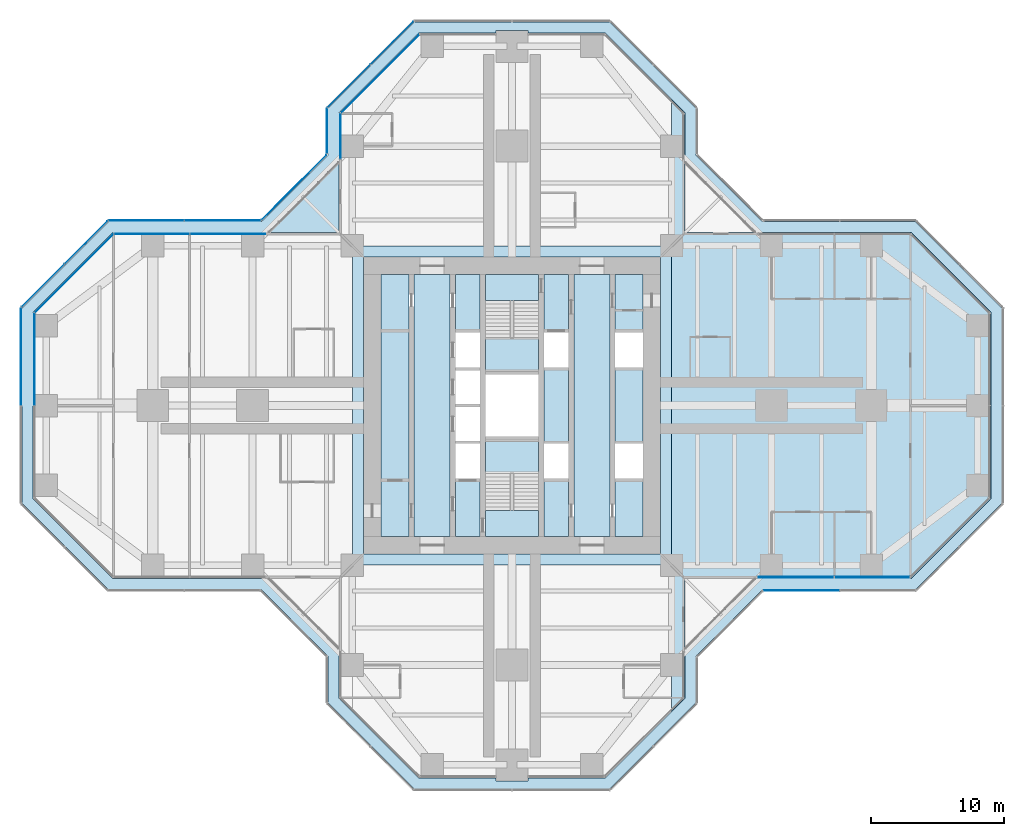
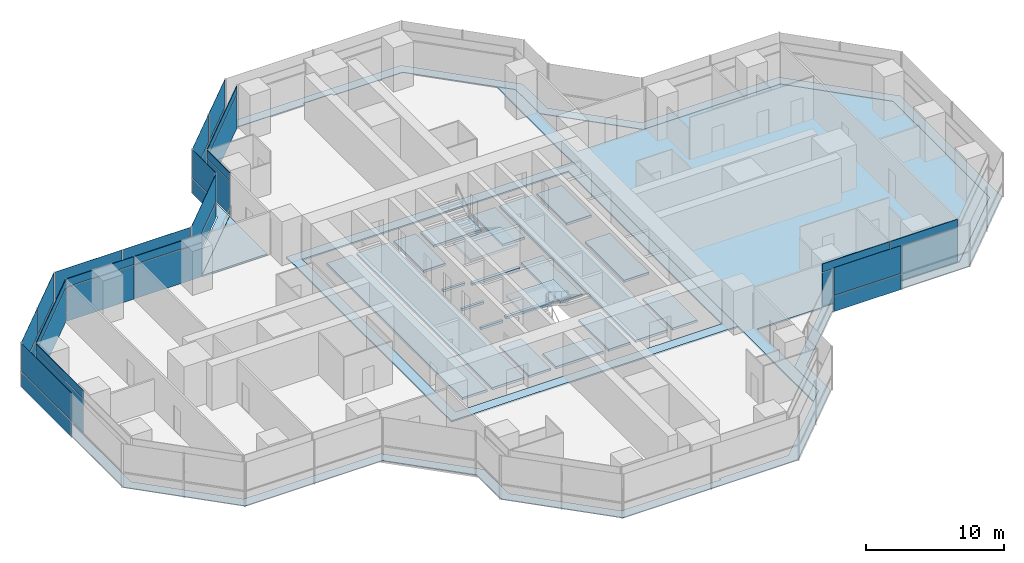
# One storey, part 13 of 20: 37 plates, 8 slabs, 15 elements without a shape of their own.
"""IFC4 building model written with IfcOpenShell, lengths in metres."""

import ifcopenshell
import ifcopenshell.guid

model = None  # the IFC model being written
_history = None  # IfcOwnerHistory: only IFC2X3 demands one
_inside = {}  # id of a spatial element -> (the spatial element, [elements in it])
_under = {}  # id of a project, library or spatial element -> (it, [spatial elements below it])
_declared = {}  # id of a project -> (the project, [libraries it declares])
_typed = {}  # id of a type object -> (the type object, [elements of that type])
_made_of = {}  # id of a material, layer set ... -> (it, [elements and type objects made of it])


def new_model(schema):
    """Start an empty IFC model of exactly this schema.

    Asked for "IFC4X3", IfcOpenShell would pick the latest addendum, in which some entities
    have other attributes; the version numbers below select the first issue.
    IFC2X3 requires an IfcOwnerHistory on every rooted entity: one is made here for all.
    """
    global model, _history
    if schema == "IFC4X3":
        model = ifcopenshell.file(schema_version=(4, 3, 0, 0))
    else:
        model = ifcopenshell.file(schema=schema)
    _inside.clear()
    _under.clear()
    _declared.clear()
    _typed.clear()
    _made_of.clear()
    _history = None
    if model.schema == "IFC2X3":
        org = make("IfcOrganization", Name="unknown")
        user = make(
            "IfcPersonAndOrganization",
            ThePerson=make("IfcPerson", FamilyName="unknown"),
            TheOrganization=org,
        )
        app = make(
            "IfcApplication",
            ApplicationDeveloper=org,
            Version="unknown",
            ApplicationFullName="unknown",
            ApplicationIdentifier="unknown",
        )
        _history = make(
            "IfcOwnerHistory",
            OwningUser=user,
            OwningApplication=app,
            ChangeAction="ADDED",
            CreationDate=0,
        )
    return model


def make(cls, **values):
    """One entity of the class cls with the attributes given. An attribute that is None is left unset."""
    return model.create_entity(
        cls, **{name: value for name, value in values.items() if value is not None}
    )


def rooted(cls, **values):
    """An entity with a GlobalId (a new one), such as an element, a storey or a relation."""
    return make(cls, GlobalId=ifcopenshell.guid.new(), OwnerHistory=_history, **values)


def si_unit(unit_type, name, prefix=None):
    """IfcSIUnit, for example si_unit("LENGTHUNIT", "METRE", prefix="MILLI")."""
    return make("IfcSIUnit", UnitType=unit_type, Prefix=prefix, Name=name)


def assignment(units):
    """IfcUnitAssignment: the units of a project."""
    return None if units is None else make("IfcUnitAssignment", Units=units)


def point(xyz):
    """IfcCartesianPoint."""
    return None if xyz is None else make("IfcCartesianPoint", Coordinates=xyz)


def direction(xyz):
    """IfcDirection."""
    return None if xyz is None else make("IfcDirection", DirectionRatios=xyz)


def frame(location, z_axis=None, x_axis=None):
    """IfcAxis2Placement3D, a coordinate frame: its origin and axes. An axis left out is left unset."""
    return make(
        "IfcAxis2Placement3D",
        Location=point(location),
        Axis=direction(z_axis),
        RefDirection=direction(x_axis),
    )


def frame_2d(location, x_axis=None):
    """IfcAxis2Placement2D, a coordinate frame in the plane: its origin and x axis."""
    return make(
        "IfcAxis2Placement2D", Location=point(location), RefDirection=direction(x_axis)
    )


def origin():
    """The frame at (0, 0, 0) with its axes left unset."""
    return frame((0.0, 0.0, 0.0))


def origin_2d():
    """The frame at (0, 0) in the plane with its x axis left unset."""
    return frame_2d((0.0, 0.0))


def place(relative_to, where):
    """IfcLocalPlacement: puts the frame where relative to a parent placement (None: the world)."""
    return make(
        "IfcLocalPlacement", PlacementRelTo=relative_to, RelativePlacement=where
    )


def context(
    kind, dimensions, precision=None, world=None, true_north=None, identifier=None
):
    """IfcGeometricRepresentationContext, for example the 3D "Model" context."""
    return make(
        "IfcGeometricRepresentationContext",
        ContextIdentifier=identifier,
        ContextType=kind,
        CoordinateSpaceDimension=dimensions,
        Precision=precision,
        WorldCoordinateSystem=world,
        TrueNorth=true_north,
    )


def subcontext(parent, identifier, kind, view, scale=None):
    """IfcGeometricRepresentationSubContext, for example "Body" below "Model"."""
    return make(
        "IfcGeometricRepresentationSubContext",
        ContextIdentifier=identifier,
        ContextType=kind,
        ParentContext=parent,
        TargetScale=scale,
        TargetView=view,
    )


def project(units=None, contexts=None):
    """IfcProject with its units and contexts."""
    return rooted(
        "IfcProject",
        Name="project",
        RepresentationContexts=contexts,
        UnitsInContext=assignment(units),
    )


def spatial(cls, under=None, at=None, **own):
    """A site, building, storey or space (cls), placed at a placement, below another one or the project."""
    s = rooted(cls, ObjectPlacement=at, **own)
    if under is not None:
        _under.setdefault(under.id(), (under, []))[1].append(s)
    return s


def polyline(points):
    """IfcPolyline through the points."""
    return make("IfcPolyline", Points=[point(p) for p in points])


def profile(cls, at=None, kind="AREA", **sizes):
    """A parametric profile (cls). Its sizes go by their IFC names, for example OverallWidth=200.0."""
    return make(cls, ProfileType=kind, Position=at, **sizes)


def rectangle(**sizes):
    """IfcRectangleProfileDef."""
    return profile("IfcRectangleProfileDef", **sizes)


def outline(outer, holes=None, kind="AREA"):
    """IfcArbitraryClosedProfileDef: a profile drawn as a closed curve; with holes, ...WithVoids."""
    if holes is None:
        return make("IfcArbitraryClosedProfileDef", ProfileType=kind, OuterCurve=outer)
    return make(
        "IfcArbitraryProfileDefWithVoids",
        ProfileType=kind,
        OuterCurve=outer,
        InnerCurves=holes,
    )


def extrude(swept, where, along, depth):
    """IfcExtrudedAreaSolid: the profile swept, set in the frame where, extruded along a direction by depth."""
    return make(
        "IfcExtrudedAreaSolid",
        SweptArea=swept,
        Position=where,
        ExtrudedDirection=direction(along),
        Depth=depth,
    )


def shape(context_of_items, identifier, shape_type, items):
    """IfcShapeRepresentation: the items that make up one representation, for example the "Body"."""
    return make(
        "IfcShapeRepresentation",
        ContextOfItems=context_of_items,
        RepresentationIdentifier=identifier,
        RepresentationType=shape_type,
        Items=items,
    )


def material(Name=None, Category=None):
    """IfcMaterial."""
    return make("IfcMaterial", Name=Name, Category=Category)


def layer(
    of_material, thickness, ventilated=None, Name=None, Category=None, Priority=None
):
    """IfcMaterialLayer: one layer of a wall or slab, of a material (None: an air gap)."""
    return make(
        "IfcMaterialLayer",
        Material=of_material,
        LayerThickness=thickness,
        IsVentilated=ventilated,
        Name=Name,
        Category=Category,
        Priority=Priority,
    )


def layer_set(layers, Name=None):
    """IfcMaterialLayerSet."""
    return make("IfcMaterialLayerSet", MaterialLayers=layers, LayerSetName=Name)


def made_of(thing, what):
    """Note that an element or type object is made of a material, layer set ...; save() writes the relation."""
    if what is not None:
        _made_of.setdefault(what.id(), (what, []))[1].append(thing)
    return thing


def type_object(cls, material=None, **own):
    """A type object (cls), such as IfcWallType, which elements share."""
    return made_of(rooted(cls, **own), material)


def element(
    cls,
    number,
    at=None,
    inside=None,
    cuts=None,
    type_object=None,
    material=None,
    context=None,
    identifier="Body",
    shape_type=None,
    held_by="IfcProductDefinitionShape",
    body=None,
    shapes=None,
    **own,
):
    """One element of the class cls, such as IfcWall. Its Tag is "e" and its number.

    at: its placement. inside: the storey or other place that contains it. cuts: it is an
    opening in that element (IfcRelVoidsElement). A single representation is given by context,
    identifier, shape_type and body (its items); several are given by shapes. held_by: the class
    of the entity that holds the representations. save() writes the other relations.
    """
    e = rooted(cls, Tag="e%d" % number, ObjectPlacement=at, **own)
    if body is not None:
        shapes = [shape(context, identifier, shape_type, body)]
    if shapes is not None:
        e.Representation = make(held_by, Representations=shapes)
    if inside is not None:
        _inside.setdefault(inside.id(), (inside, []))[1].append(e)
    if cuts is not None:
        rooted(
            "IfcRelVoidsElement", RelatingBuildingElement=cuts, RelatedOpeningElement=e
        )
    if type_object is not None:
        _typed.setdefault(type_object.id(), (type_object, []))[1].append(e)
    return made_of(e, material)


def aggregate(whole, parts):
    """IfcRelAggregates: a whole, such as a stair, and the parts it consists of."""
    return rooted("IfcRelAggregates", RelatingObject=whole, RelatedObjects=parts)


def save(model, path):
    """Write the relations noted so far, then the file.

    IfcRelAggregates (storeys below a building ...), IfcRelContainedInSpatialStructure (elements
    in a storey), IfcRelDefinesByType, IfcRelAssociatesMaterial and IfcRelDeclares: one each for
    every whole, place, type object, material and project.
    """
    for whole, parts in _under.values():
        aggregate(whole, parts)
    for where, things in _inside.values():
        rooted(
            "IfcRelContainedInSpatialStructure",
            RelatedElements=things,
            RelatingStructure=where,
        )
    for kind, things in _typed.values():
        rooted("IfcRelDefinesByType", RelatedObjects=things, RelatingType=kind)
    for what, things in _made_of.values():
        rooted("IfcRelAssociatesMaterial", RelatedObjects=things, RelatingMaterial=what)
    for by, libraries in _declared.values():
        rooted("IfcRelDeclares", RelatingContext=by, RelatedDefinitions=libraries)
    model.write(path)


model = new_model("IFC4")

# Units and contexts
model_context = context("Model", 3, precision=1e-05, world=origin(), true_north=direction((0.0, 1.0)))
body_context = subcontext(model_context, "Body", "Model", "MODEL_VIEW")
ifc_project = project(units=[si_unit("LENGTHUNIT", "METRE"), si_unit("AREAUNIT", "SQUARE_METRE"), si_unit("VOLUMEUNIT", "CUBIC_METRE"), si_unit("PLANEANGLEUNIT", "RADIAN"), si_unit("MASSUNIT", "GRAM", prefix="KILO")], contexts=[model_context])

# Site, building, storey
site_placement = place(None, origin())
site = spatial("IfcSite", under=ifc_project, at=site_placement, CompositionType="ELEMENT")
building_placement = place(site_placement, origin())
building = spatial("IfcBuilding", under=site, at=building_placement, Name="Mizan Broadcast Tower", CompositionType="ELEMENT")
storey_placement = place(building_placement, frame((0.0, 0.0, 155.39990234375)))
storey = spatial("IfcBuildingStorey", under=building, at=storey_placement, Name="L35", CompositionType="ELEMENT", Elevation=155.39990234375)

# Plate
ifc_material_1 = material(Name="Aluminium grating", Category="aluminium")
ifc_layer_1 = layer(ifc_material_1, 0.050048828125)
ifc_layer_set_1 = layer_set([ifc_layer_1], Name="Aluminium grating")
plate_type_1 = type_object("IfcPlateType", Name="CAVITY GRATING", PredefinedType="USERDEFINED", material=ifc_layer_set_1)
plate_1_placement = place(storey_placement, frame((0.0, 0.0, -0.0498046875)))
element("IfcPlate", 1, at=plate_1_placement, inside=storey, type_object=plate_type_1, Name="Cavity grating L35", ObjectType="GRATING", PredefinedType="USERDEFINED", context=body_context, shape_type="SweptSolid", body=[
    extrude(outline(polyline([(13.820068359375, -18.839599609375), (18.839599609375, -13.820068359375), (30.339599609375, -13.820068359375), (36.820068359375, -7.339599609375), (36.820068359375, 7.339599609375), (30.339599609375, 13.820068359375), (18.839599609375, 13.820068359375), (13.820068359375, 18.839599609375), (13.820068359375, 22.339599609375), (7.339599609375, 28.820068359375), (-7.339599609375, 28.820068359375), (-13.820068359375, 22.339599609375), (-13.820068359375, 18.839599609375), (-18.839599609375, 13.820068359375), (-30.339599609375, 13.820068359375), (-36.820068359375, 7.339599609375), (-36.820068359375, -7.339599609375), (-30.339599609375, -13.820068359375), (-18.839599609375, -13.820068359375), (-13.820068359375, -18.839599609375), (-13.820068359375, -22.339599609375), (-7.339599609375, -28.820068359375), (7.339599609375, -28.820068359375), (13.820068359375, -22.339599609375), (13.820068359375, -18.839599609375)]), holes=[polyline([(36.0, 7.0), (36.0, -7.0), (30.0, -13.0), (18.5, -13.0), (13.0, -18.5), (13.0, -22.0), (7.0, -28.0), (1.199951171875, -28.0), (1.199951171875, -28.199951171875), (-1.199951171875, -28.199951171875), (-1.199951171875, -28.0), (-7.0, -28.0), (-13.0, -22.0), (-13.0, -18.5), (-18.5, -13.0), (-30.0, -13.0), (-36.0, -7.0), (-36.0, 7.0), (-30.0, 13.0), (-18.5, 13.0), (-13.0, 18.5), (-13.0, 22.0), (-7.0, 28.0), (-1.199951171875, 28.0), (-1.199951171875, 28.199951171875), (1.199951171875, 28.199951171875), (1.199951171875, 28.0), (7.0, 28.0), (13.0, 22.0), (13.0, 18.5), (18.5, 13.0), (30.0, 13.0), (36.0, 7.0)])]), origin(), (0.0, 0.0, 1.0), 0.0498046875),
])

# Slabs
ifc_material_2 = material(Name="Concrete C32/40", Category="concrete")
ifc_layer_2 = layer(ifc_material_2, 0.1298828125)
ifc_layer_set_2 = layer_set([ifc_layer_2], Name="Concrete C32/40")
slab_type_1 = type_object("IfcSlabType", Name="COMPOSITE DECK SLAB 130", PredefinedType="FLOOR", material=ifc_layer_set_2)
slab_1_placement = place(storey_placement, frame((0.0, 0.0, -0.1298828125)))
element("IfcSlab", 2, at=slab_1_placement, inside=storey, type_object=slab_type_1, Name="Floor slab L35 centre", PredefinedType="FLOOR", context=body_context, shape_type="SweptSolid", body=[
    extrude(outline(polyline([(-12.0, -12.0), (12.0, -12.0), (12.0, 12.0), (-12.0, 12.0), (-12.0, -12.0)]), holes=[polyline([(-11.14990234375, 11.14990234375), (11.14990234375, 11.14990234375), (11.14990234375, -11.14990234375), (-11.14990234375, -11.14990234375), (-11.14990234375, 11.14990234375)])]), origin(), (0.0, 0.0, 1.0), 0.1298828125),
])
slab_2_placement = place(storey_placement, frame((0.0, 0.0, -0.1298828125)))
element("IfcSlab", 3, at=slab_2_placement, inside=storey, type_object=slab_type_1, Name="Floor slab L35 east arm", PredefinedType="FLOOR", context=body_context, shape_type="SweptSolid", body=[
    extrude(outline(polyline([(12.0, -23.0), (13.0, -22.0), (13.0, -13.0), (30.0, -13.0), (36.0, -7.0), (36.0, 7.0), (30.0, 13.0), (13.0, 13.0), (13.0, 22.0), (12.0, 23.0), (12.0, -23.0)])), origin(), (0.0, 0.0, 1.0), 0.1298828125),
])
ifc_material_3 = material(Name="Concrete C40/50", Category="concrete")
ifc_layer_3 = layer(ifc_material_3, 0.199951171875)
ifc_layer_set_3 = layer_set([ifc_layer_3], Name="Concrete C40/50")
slab_type_2 = type_object("IfcSlabType", Name="CORE FLOOR 200", PredefinedType="FLOOR", material=ifc_layer_set_3)
slab_3_placement = place(storey_placement, frame((0.0, 0.0, -0.199951171875)))
element("IfcSlab", 4, at=slab_3_placement, inside=storey, type_object=slab_type_2, Name="Core floor L35", PredefinedType="FLOOR", context=body_context, shape_type="SweptSolid", body=[
    extrude(outline(polyline([(-9.85009765625, -9.85009765625), (-7.75, -9.85009765625), (-7.75, 9.85009765625), (-9.85009765625, 9.85009765625), (-9.85009765625, -9.85009765625)])), origin(), (0.0, 0.0, 1.0), 0.199951171875),
    extrude(outline(polyline([(-4.64990234375, 9.85009765625), (-7.35009765625, 9.85009765625), (-7.35009765625, -9.85009765625), (-4.64990234375, -9.85009765625), (-4.64990234375, 9.85009765625)])), origin(), (0.0, 0.0, 1.0), 0.199951171875),
    extrude(outline(polyline([(-4.25, -5.5), (-4.25, -9.85009765625), (-2.39990234375, -9.85009765625), (-2.39990234375, -5.5), (-4.25, -5.5)])), origin(), (0.0, 0.0, 1.0), 0.199951171875),
    extrude(outline(polyline([(-4.25, -2.85009765625), (-2.39990234375, -2.85009765625), (-2.39990234375, -2.64990234375), (-4.25, -2.64990234375), (-4.25, -2.85009765625)])), origin(), (0.0, 0.0, 1.0), 0.199951171875),
    extrude(outline(polyline([(-4.25, -0.10009765625), (-2.39990234375, -0.10009765625), (-2.39990234375, 0.10009765625), (-4.25, 0.10009765625), (-4.25, -0.10009765625)])), origin(), (0.0, 0.0, 1.0), 0.199951171875),
    extrude(outline(polyline([(-4.25, 2.64990234375), (-2.39990234375, 2.64990234375), (-2.39990234375, 2.85009765625), (-4.25, 2.85009765625), (-4.25, 2.64990234375)])), origin(), (0.0, 0.0, 1.0), 0.199951171875),
    extrude(outline(polyline([(-4.25, 5.5), (-2.39990234375, 5.5), (-2.39990234375, 9.85009765625), (-4.25, 9.85009765625), (-4.25, 5.5)])), origin(), (0.0, 0.0, 1.0), 0.199951171875),
    extrude(outline(polyline([(2.0, -2.324951171875), (-2.0, -2.324951171875), (-2.0, -2.574951171875), (2.0, -2.574951171875), (2.0, -2.324951171875)])), origin(), (0.0, 0.0, 1.0), 0.199951171875),
    extrude(outline(polyline([(2.0, 2.574951171875), (-2.0, 2.574951171875), (-2.0, 2.324951171875), (2.0, 2.324951171875), (2.0, 2.574951171875)])), origin(), (0.0, 0.0, 1.0), 0.199951171875),
    extrude(outline(polyline([(4.25, -9.85009765625), (4.25, -5.5), (2.39990234375, -5.5), (2.39990234375, -9.85009765625), (4.25, -9.85009765625)])), origin(), (0.0, 0.0, 1.0), 0.199951171875),
    extrude(outline(polyline([(4.25, -2.85009765625), (4.25, 2.85009765625), (2.39990234375, 2.85009765625), (2.39990234375, -2.85009765625), (4.25, -2.85009765625)])), origin(), (0.0, 0.0, 1.0), 0.199951171875),
    extrude(outline(polyline([(4.25, 5.5), (4.25, 9.85009765625), (2.39990234375, 9.85009765625), (2.39990234375, 5.5), (4.25, 5.5)])), origin(), (0.0, 0.0, 1.0), 0.199951171875),
    extrude(outline(polyline([(4.64990234375, 9.85009765625), (4.64990234375, -9.85009765625), (7.35009765625, -9.85009765625), (7.35009765625, 9.85009765625), (4.64990234375, 9.85009765625)])), origin(), (0.0, 0.0, 1.0), 0.199951171875),
    extrude(outline(polyline([(9.85009765625, -9.85009765625), (9.85009765625, -5.5), (7.75, -5.5), (7.75, -9.85009765625), (9.85009765625, -9.85009765625)])), origin(), (0.0, 0.0, 1.0), 0.199951171875),
    extrude(outline(polyline([(7.75, -2.85009765625), (9.85009765625, -2.85009765625), (9.85009765625, 2.85009765625), (7.75, 2.85009765625), (7.75, -2.85009765625)])), origin(), (0.0, 0.0, 1.0), 0.199951171875),
    extrude(outline(polyline([(9.85009765625, 5.5), (9.85009765625, 9.85009765625), (7.75, 9.85009765625), (7.75, 5.5), (9.85009765625, 5.5)])), origin(), (0.0, 0.0, 1.0), 0.199951171875),
])

# Curtain wall, plates
ifc_material_4 = material(Name="Aluminium framed glazing", Category="aluminium")
curtain_wall_type_1 = type_object("IfcCurtainWallType", Name="INNER SKIN MID ZONE", PredefinedType="USERDEFINED", material=ifc_material_4)
curtain_wall_1_placement = place(storey_placement, origin())
curtain_wall_1 = element("IfcCurtainWall", 5, at=curtain_wall_1_placement, inside=storey, type_object=curtain_wall_type_1, Name="Inner skin mid zone L35 E side", ObjectType="INNER SKIN MID ZONE", PredefinedType="USERDEFINED")
ifc_material_5 = material(Name="Double glazing, clear low-e", Category="glass")
ifc_layer_4 = layer(ifc_material_5, 0.028076171875)
ifc_layer_set_4 = layer_set([ifc_layer_4], Name="Double glazing, clear low-e")
plate_type_2 = type_object("IfcPlateType", Name="INNER SKIN GLAZING UNIT", PredefinedType="CURTAIN_PANEL", material=ifc_layer_set_4)
plate_2_placement = place(storey_placement, frame((21.379638671875, -12.89990234375, 0.0), z_axis=(0.0, 0.0, 1.0), x_axis=(1.0, 0.0, 0.0)))
plate_2 = element("IfcPlate", 6, at=plate_2_placement, type_object=plate_type_2, Name="Inner skin mid zone L35 E side panel 1.1", PredefinedType="CURTAIN_PANEL", context=body_context, shape_type="SweptSolid", body=[
    extrude(rectangle(XDim=5.639404296875, YDim=0.028076171875, at=origin_2d()), origin(), (0.0, 0.0, 1.0), 3.0),
])
plate_3_placement = place(storey_placement, frame((27.078857421875, -12.89990234375, 0.0), z_axis=(0.0, 0.0, 1.0), x_axis=(1.0, 0.0, 0.0)))
plate_3 = element("IfcPlate", 7, at=plate_3_placement, type_object=plate_type_2, Name="Inner skin mid zone L35 E side panel 2.1", PredefinedType="CURTAIN_PANEL", context=body_context, shape_type="SweptSolid", body=[
    extrude(rectangle(XDim=5.639404296875, YDim=0.028076171875, at=origin_2d()), origin(), (0.0, 0.0, 1.0), 3.0),
])

# Curtain wall, plate
curtain_wall_2_placement = place(storey_placement, origin())
curtain_wall_2 = element("IfcCurtainWall", 8, at=curtain_wall_2_placement, inside=storey, type_object=curtain_wall_type_1, Name="Inner skin mid zone L35 N chamfer", ObjectType="INNER SKIN MID ZONE", PredefinedType="USERDEFINED")
plate_4_placement = place(storey_placement, frame((-9.92919921875, 24.92919921875, 0.0), z_axis=(0.0, 0.0, 1.0), x_axis=(-0.707106781187, -0.707106781187, 0.0)))
plate_4 = element("IfcPlate", 9, at=plate_4_placement, type_object=plate_type_2, Name="Inner skin mid zone L35 N chamfer panel 1.1", PredefinedType="CURTAIN_PANEL", context=body_context, shape_type="SweptSolid", body=[
    extrude(rectangle(XDim=8.282470703125, YDim=0.028076171875, at=origin_2d()), origin(), (0.0, 0.0, 1.0), 3.0),
])

curtain_wall_3_placement = place(storey_placement, origin())
curtain_wall_3 = element("IfcCurtainWall", 10, at=curtain_wall_3_placement, inside=storey, type_object=curtain_wall_type_1, Name="Inner skin mid zone L35 N side", ObjectType="INNER SKIN MID ZONE", PredefinedType="USERDEFINED")
plate_5_placement = place(storey_placement, frame((-12.89990234375, 20.229248046875, 0.0), z_axis=(0.0, 0.0, 1.0), x_axis=(0.0, -1.0, 0.0)))
plate_5 = element("IfcPlate", 11, at=plate_5_placement, type_object=plate_type_2, Name="Inner skin mid zone L35 N side panel 1.1", PredefinedType="CURTAIN_PANEL", context=body_context, shape_type="SweptSolid", body=[
    extrude(rectangle(XDim=3.338623046875, YDim=0.028076171875, at=origin_2d()), origin(), (0.0, 0.0, 1.0), 3.0),
])

# Curtain wall, plates
curtain_wall_4_placement = place(storey_placement, origin())
curtain_wall_4 = element("IfcCurtainWall", 12, at=curtain_wall_4_placement, inside=storey, type_object=curtain_wall_type_1, Name="Inner skin mid zone L35 W side", ObjectType="INNER SKIN MID ZONE", PredefinedType="USERDEFINED")
plate_6_placement = place(storey_placement, frame((-21.379638671875, 12.89990234375, 0.0), z_axis=(0.0, 0.0, 1.0), x_axis=(-1.0, 0.0, 0.0)))
plate_6 = element("IfcPlate", 13, at=plate_6_placement, type_object=plate_type_2, Name="Inner skin mid zone L35 W side panel 1.1", PredefinedType="CURTAIN_PANEL", context=body_context, shape_type="SweptSolid", body=[
    extrude(rectangle(XDim=5.639404296875, YDim=0.028076171875, at=origin_2d()), origin(), (0.0, 0.0, 1.0), 3.0),
])
plate_7_placement = place(storey_placement, frame((-27.078857421875, 12.89990234375, 0.0), z_axis=(0.0, 0.0, 1.0), x_axis=(-1.0, 0.0, 0.0)))
plate_7 = element("IfcPlate", 14, at=plate_7_placement, type_object=plate_type_2, Name="Inner skin mid zone L35 W side panel 2.1", PredefinedType="CURTAIN_PANEL", context=body_context, shape_type="SweptSolid", body=[
    extrude(rectangle(XDim=5.639404296875, YDim=0.028076171875, at=origin_2d()), origin(), (0.0, 0.0, 1.0), 3.0),
])

# Curtain wall, plate
curtain_wall_5_placement = place(storey_placement, origin())
curtain_wall_5 = element("IfcCurtainWall", 15, at=curtain_wall_5_placement, inside=storey, type_object=curtain_wall_type_1, Name="Inner skin mid zone L35 W chamfer", ObjectType="INNER SKIN MID ZONE", PredefinedType="USERDEFINED")
plate_8_placement = place(storey_placement, frame((-32.92919921875, 9.92919921875, 0.0), z_axis=(0.0, 0.0, 1.0), x_axis=(-0.707106781187, -0.707106781187, 0.0)))
plate_8 = element("IfcPlate", 16, at=plate_8_placement, type_object=plate_type_2, Name="Inner skin mid zone L35 W chamfer panel 1.1", PredefinedType="CURTAIN_PANEL", context=body_context, shape_type="SweptSolid", body=[
    extrude(rectangle(XDim=8.282470703125, YDim=0.028076171875, at=origin_2d()), origin(), (0.0, 0.0, 1.0), 3.0),
])

curtain_wall_6_placement = place(storey_placement, origin())
curtain_wall_6 = element("IfcCurtainWall", 17, at=curtain_wall_6_placement, inside=storey, type_object=curtain_wall_type_1, Name="Inner skin mid zone L35 W end", ObjectType="INNER SKIN MID ZONE", PredefinedType="USERDEFINED")
plate_9_placement = place(storey_placement, frame((-35.89990234375, 3.46435546875, 0.0), z_axis=(0.0, 0.0, 1.0), x_axis=(0.0, -1.0, 0.0)))
plate_9 = element("IfcPlate", 18, at=plate_9_placement, type_object=plate_type_2, Name="Inner skin mid zone L35 W end panel 1.1", PredefinedType="CURTAIN_PANEL", context=body_context, shape_type="SweptSolid", body=[
    extrude(rectangle(XDim=6.86865234375, YDim=0.028076171875, at=origin_2d()), origin(), (0.0, 0.0, 1.0), 3.0),
])

# Plate
ifc_material_6 = material(Name="Insulated aluminium spandrel panel, pale anodised", Category="aluminium")
ifc_layer_5 = layer(ifc_material_6, 0.050048828125)
ifc_layer_set_5 = layer_set([ifc_layer_5], Name="Insulated aluminium spandrel panel, pale anodised")
plate_type_3 = type_object("IfcPlateType", Name="INNER SKIN SPANDREL PANEL", PredefinedType="CURTAIN_PANEL", material=ifc_layer_set_5)
plate_10_placement = place(storey_placement, frame((21.379638671875, -12.89990234375, 3.06005859375), z_axis=(0.0, 0.0, 1.0), x_axis=(1.0, 0.0, 0.0)))
plate_10 = element("IfcPlate", 19, at=plate_10_placement, type_object=plate_type_3, Name="Inner skin mid zone L35 E side panel 1.2", PredefinedType="CURTAIN_PANEL", context=body_context, shape_type="SweptSolid", body=[
    extrude(rectangle(XDim=5.639404296875, YDim=0.050048828125, at=origin_2d()), origin(), (0.0, 0.0, 1.0), 0.7099609375),
])

plate_11_placement = place(storey_placement, frame((27.078857421875, -12.89990234375, 3.06005859375), z_axis=(0.0, 0.0, 1.0), x_axis=(1.0, 0.0, 0.0)))
plate_11 = element("IfcPlate", 20, at=plate_11_placement, type_object=plate_type_3, Name="Inner skin mid zone L35 E side panel 2.2", PredefinedType="CURTAIN_PANEL", context=body_context, shape_type="SweptSolid", body=[
    extrude(rectangle(XDim=5.639404296875, YDim=0.050048828125, at=origin_2d()), origin(), (0.0, 0.0, 1.0), 0.7099609375),
])

aggregate(curtain_wall_1, [plate_2, plate_10, plate_3, plate_11])

plate_12_placement = place(storey_placement, frame((-9.92919921875, 24.92919921875, 3.06005859375), z_axis=(0.0, 0.0, 1.0), x_axis=(-0.707106781187, -0.707106781187, 0.0)))
plate_12 = element("IfcPlate", 21, at=plate_12_placement, type_object=plate_type_3, Name="Inner skin mid zone L35 N chamfer panel 1.2", PredefinedType="CURTAIN_PANEL", context=body_context, shape_type="SweptSolid", body=[
    extrude(rectangle(XDim=8.282470703125, YDim=0.050048828125, at=origin_2d()), origin(), (0.0, 0.0, 1.0), 0.7099609375),
])

aggregate(curtain_wall_2, [plate_4, plate_12])

plate_13_placement = place(storey_placement, frame((-12.89990234375, 20.229248046875, 3.06005859375), z_axis=(0.0, 0.0, 1.0), x_axis=(0.0, -1.0, 0.0)))
plate_13 = element("IfcPlate", 22, at=plate_13_placement, type_object=plate_type_3, Name="Inner skin mid zone L35 N side panel 1.2", PredefinedType="CURTAIN_PANEL", context=body_context, shape_type="SweptSolid", body=[
    extrude(rectangle(XDim=3.338623046875, YDim=0.050048828125, at=origin_2d()), origin(), (0.0, 0.0, 1.0), 0.7099609375),
])

aggregate(curtain_wall_3, [plate_5, plate_13])

plate_14_placement = place(storey_placement, frame((-21.379638671875, 12.89990234375, 3.06005859375), z_axis=(0.0, 0.0, 1.0), x_axis=(-1.0, 0.0, 0.0)))
plate_14 = element("IfcPlate", 23, at=plate_14_placement, type_object=plate_type_3, Name="Inner skin mid zone L35 W side panel 1.2", PredefinedType="CURTAIN_PANEL", context=body_context, shape_type="SweptSolid", body=[
    extrude(rectangle(XDim=5.639404296875, YDim=0.050048828125, at=origin_2d()), origin(), (0.0, 0.0, 1.0), 0.7099609375),
])

plate_15_placement = place(storey_placement, frame((-27.078857421875, 12.89990234375, 3.06005859375), z_axis=(0.0, 0.0, 1.0), x_axis=(-1.0, 0.0, 0.0)))
plate_15 = element("IfcPlate", 24, at=plate_15_placement, type_object=plate_type_3, Name="Inner skin mid zone L35 W side panel 2.2", PredefinedType="CURTAIN_PANEL", context=body_context, shape_type="SweptSolid", body=[
    extrude(rectangle(XDim=5.639404296875, YDim=0.050048828125, at=origin_2d()), origin(), (0.0, 0.0, 1.0), 0.7099609375),
])

aggregate(curtain_wall_4, [plate_6, plate_14, plate_7, plate_15])

plate_16_placement = place(storey_placement, frame((-32.92919921875, 9.92919921875, 3.06005859375), z_axis=(0.0, 0.0, 1.0), x_axis=(-0.707106781187, -0.707106781187, 0.0)))
plate_16 = element("IfcPlate", 25, at=plate_16_placement, type_object=plate_type_3, Name="Inner skin mid zone L35 W chamfer panel 1.2", PredefinedType="CURTAIN_PANEL", context=body_context, shape_type="SweptSolid", body=[
    extrude(rectangle(XDim=8.282470703125, YDim=0.050048828125, at=origin_2d()), origin(), (0.0, 0.0, 1.0), 0.7099609375),
])

aggregate(curtain_wall_5, [plate_8, plate_16])

plate_17_placement = place(storey_placement, frame((-35.89990234375, 3.46435546875, 3.06005859375), z_axis=(0.0, 0.0, 1.0), x_axis=(0.0, -1.0, 0.0)))
plate_17 = element("IfcPlate", 26, at=plate_17_placement, type_object=plate_type_3, Name="Inner skin mid zone L35 W end panel 1.2", PredefinedType="CURTAIN_PANEL", context=body_context, shape_type="SweptSolid", body=[
    extrude(rectangle(XDim=6.86865234375, YDim=0.050048828125, at=origin_2d()), origin(), (0.0, 0.0, 1.0), 0.7099609375),
])

aggregate(curtain_wall_6, [plate_9, plate_17])

# Curtain wall, plates
ifc_material_7 = material(Name="Aluminium framed glazing", Category="aluminium")
curtain_wall_type_2 = type_object("IfcCurtainWallType", Name="OUTER SKIN", PredefinedType="USERDEFINED", material=ifc_material_7)
curtain_wall_7_placement = place(storey_placement, origin())
curtain_wall_7 = element("IfcCurtainWall", 27, at=curtain_wall_7_placement, inside=storey, type_object=curtain_wall_type_2, Name="Outer skin L35 N chamfer", ObjectType="OUTER SKIN", PredefinedType="USERDEFINED")
ifc_material_8 = material(Name="Laminated clear glass", Category="glass")
ifc_layer_6 = layer(ifc_material_8, 0.02001953125)
ifc_layer_set_6 = layer_set([ifc_layer_6], Name="Laminated clear glass")
plate_type_4 = type_object("IfcPlateType", Name="OUTER SKIN CLEAR GLASS", PredefinedType="CURTAIN_PANEL", material=ifc_layer_set_6)
plate_18_placement = place(storey_placement, frame((-9.018798828125, 27.254150390625, 0.0), z_axis=(0.0, 0.0, 1.0), x_axis=(-0.707106781187, -0.707106781187, 0.0)))
plate_18 = element("IfcPlate", 28, at=plate_18_placement, type_object=plate_type_4, Name="Outer skin L35 N chamfer panel 1.1", PredefinedType="CURTAIN_PANEL", context=body_context, shape_type="SweptSolid", body=[
    extrude(rectangle(XDim=4.495361328125, YDim=0.02001953125, at=origin_2d()), origin(), (0.0, 0.0, 1.0), 1.3701171875),
])
plate_19_placement = place(storey_placement, frame((-9.018798828125, 27.254150390625, 1.43017578125), z_axis=(0.0, 0.0, 1.0), x_axis=(-0.707106781187, -0.707106781187, 0.0)))
plate_19 = element("IfcPlate", 29, at=plate_19_placement, type_object=plate_type_4, Name="Outer skin L35 N chamfer panel 1.2", PredefinedType="CURTAIN_PANEL", context=body_context, shape_type="SweptSolid", body=[
    extrude(rectangle(XDim=4.495361328125, YDim=0.02001953125, at=origin_2d()), origin(), (0.0, 0.0, 1.0), 2.469970703125),
])

curtain_wall_8_placement = place(storey_placement, origin())
curtain_wall_8 = element("IfcCurtainWall", 30, at=curtain_wall_8_placement, inside=storey, type_object=curtain_wall_type_2, Name="Outer skin L35 N side", ObjectType="OUTER SKIN", PredefinedType="USERDEFINED")
plate_20_placement = place(storey_placement, frame((-13.89990234375, 20.622802734375, 0.0), z_axis=(0.0, 0.0, 1.0), x_axis=(0.0, -1.0, 0.0)))
plate_20 = element("IfcPlate", 31, at=plate_20_placement, type_object=plate_type_4, Name="Outer skin L35 N side panel 1.1", PredefinedType="CURTAIN_PANEL", context=body_context, shape_type="SweptSolid", body=[
    extrude(rectangle(XDim=3.340087890625, YDim=0.02001953125, at=origin_2d()), origin(), (0.0, 0.0, 1.0), 1.3701171875),
])
plate_21_placement = place(storey_placement, frame((-13.89990234375, 20.622802734375, 1.43017578125), z_axis=(0.0, 0.0, 1.0), x_axis=(0.0, -1.0, 0.0)))
plate_21 = element("IfcPlate", 32, at=plate_21_placement, type_object=plate_type_4, Name="Outer skin L35 N side panel 1.2", PredefinedType="CURTAIN_PANEL", context=body_context, shape_type="SweptSolid", body=[
    extrude(rectangle(XDim=3.340087890625, YDim=0.02001953125, at=origin_2d()), origin(), (0.0, 0.0, 1.0), 2.469970703125),
])
aggregate(curtain_wall_8, [plate_20, plate_21])

curtain_wall_9_placement = place(storey_placement, origin())
curtain_wall_9 = element("IfcCurtainWall", 33, at=curtain_wall_9_placement, inside=storey, type_object=curtain_wall_type_2, Name="Outer skin L35 W chamfer", ObjectType="OUTER SKIN", PredefinedType="USERDEFINED")
plate_22_placement = place(storey_placement, frame((-16.386474609375, 16.386474609375, 0.0), z_axis=(0.0, 0.0, 1.0), x_axis=(-0.707106781187, -0.707106781187, 0.0)))
plate_22 = element("IfcPlate", 34, at=plate_22_placement, type_object=plate_type_4, Name="Outer skin L35 W chamfer panel 1.1", PredefinedType="CURTAIN_PANEL", context=body_context, shape_type="SweptSolid", body=[
    extrude(rectangle(XDim=6.87255859375, YDim=0.02001953125, at=origin_2d()), origin(), (0.0, 0.0, 1.0), 1.3701171875),
])
plate_23_placement = place(storey_placement, frame((-16.386474609375, 16.386474609375, 1.43017578125), z_axis=(0.0, 0.0, 1.0), x_axis=(-0.707106781187, -0.707106781187, 0.0)))
plate_23 = element("IfcPlate", 35, at=plate_23_placement, type_object=plate_type_4, Name="Outer skin L35 W chamfer panel 1.2", PredefinedType="CURTAIN_PANEL", context=body_context, shape_type="SweptSolid", body=[
    extrude(rectangle(XDim=6.87255859375, YDim=0.02001953125, at=origin_2d()), origin(), (0.0, 0.0, 1.0), 2.469970703125),
])
aggregate(curtain_wall_9, [plate_22, plate_23])

curtain_wall_10_placement = place(storey_placement, origin())
curtain_wall_10 = element("IfcCurtainWall", 36, at=curtain_wall_10_placement, inside=storey, type_object=curtain_wall_type_2, Name="Outer skin L35 W side", ObjectType="OUTER SKIN", PredefinedType="USERDEFINED")
plate_24_placement = place(storey_placement, frame((-21.767822265625, 13.89990234375, 0.0), z_axis=(0.0, 0.0, 1.0), x_axis=(-1.0, 0.0, 0.0)))
plate_24 = element("IfcPlate", 37, at=plate_24_placement, type_object=plate_type_4, Name="Outer skin L35 W side panel 1.1", PredefinedType="CURTAIN_PANEL", context=body_context, shape_type="SweptSolid", body=[
    extrude(rectangle(XDim=5.6298828125, YDim=0.02001953125, at=origin_2d()), origin(), (0.0, 0.0, 1.0), 1.3701171875),
])
plate_25_placement = place(storey_placement, frame((-21.767822265625, 13.89990234375, 1.43017578125), z_axis=(0.0, 0.0, 1.0), x_axis=(-1.0, 0.0, 0.0)))
plate_25 = element("IfcPlate", 38, at=plate_25_placement, type_object=plate_type_4, Name="Outer skin L35 W side panel 1.2", PredefinedType="CURTAIN_PANEL", context=body_context, shape_type="SweptSolid", body=[
    extrude(rectangle(XDim=5.6298828125, YDim=0.02001953125, at=origin_2d()), origin(), (0.0, 0.0, 1.0), 2.469970703125),
])
plate_26_placement = place(storey_placement, frame((-27.477783203125, 13.89990234375, 0.0), z_axis=(0.0, 0.0, 1.0), x_axis=(-1.0, 0.0, 0.0)))
plate_26 = element("IfcPlate", 39, at=plate_26_placement, type_object=plate_type_4, Name="Outer skin L35 W side panel 2.1", PredefinedType="CURTAIN_PANEL", context=body_context, shape_type="SweptSolid", body=[
    extrude(rectangle(XDim=5.6298828125, YDim=0.02001953125, at=origin_2d()), origin(), (0.0, 0.0, 1.0), 1.3701171875),
])
plate_27_placement = place(storey_placement, frame((-27.477783203125, 13.89990234375, 1.43017578125), z_axis=(0.0, 0.0, 1.0), x_axis=(-1.0, 0.0, 0.0)))
plate_27 = element("IfcPlate", 40, at=plate_27_placement, type_object=plate_type_4, Name="Outer skin L35 W side panel 2.2", PredefinedType="CURTAIN_PANEL", context=body_context, shape_type="SweptSolid", body=[
    extrude(rectangle(XDim=5.6298828125, YDim=0.02001953125, at=origin_2d()), origin(), (0.0, 0.0, 1.0), 2.469970703125),
])
aggregate(curtain_wall_10, [plate_24, plate_25, plate_26, plate_27])

curtain_wall_11_placement = place(storey_placement, origin())
curtain_wall_11 = element("IfcCurtainWall", 41, at=curtain_wall_11_placement, inside=storey, type_object=curtain_wall_type_2, Name="Outer skin L35 W chamfer", ObjectType="OUTER SKIN", PredefinedType="USERDEFINED")
plate_28_placement = place(storey_placement, frame((-32.018798828125, 12.254150390625, 0.0), z_axis=(0.0, 0.0, 1.0), x_axis=(-0.707106781187, -0.707106781187, 0.0)))
plate_28 = element("IfcPlate", 42, at=plate_28_placement, type_object=plate_type_4, Name="Outer skin L35 W chamfer panel 1.1", PredefinedType="CURTAIN_PANEL", context=body_context, shape_type="SweptSolid", body=[
    extrude(rectangle(XDim=4.495361328125, YDim=0.02001953125, at=origin_2d()), origin(), (0.0, 0.0, 1.0), 1.3701171875),
])
plate_29_placement = place(storey_placement, frame((-32.018798828125, 12.254150390625, 1.43017578125), z_axis=(0.0, 0.0, 1.0), x_axis=(-0.707106781187, -0.707106781187, 0.0)))
plate_29 = element("IfcPlate", 43, at=plate_29_placement, type_object=plate_type_4, Name="Outer skin L35 W chamfer panel 1.2", PredefinedType="CURTAIN_PANEL", context=body_context, shape_type="SweptSolid", body=[
    extrude(rectangle(XDim=4.495361328125, YDim=0.02001953125, at=origin_2d()), origin(), (0.0, 0.0, 1.0), 2.469970703125),
])

curtain_wall_12_placement = place(storey_placement, origin())
curtain_wall_12 = element("IfcCurtainWall", 44, at=curtain_wall_12_placement, inside=storey, type_object=curtain_wall_type_2, Name="Outer skin L35 W end", ObjectType="OUTER SKIN", PredefinedType="USERDEFINED")
plate_30_placement = place(storey_placement, frame((-36.89990234375, 3.66650390625, 0.0), z_axis=(0.0, 0.0, 1.0), x_axis=(0.0, -1.0, 0.0)))
plate_30 = element("IfcPlate", 45, at=plate_30_placement, type_object=plate_type_4, Name="Outer skin L35 W end panel 1.1", PredefinedType="CURTAIN_PANEL", context=body_context, shape_type="SweptSolid", body=[
    extrude(rectangle(XDim=7.252685546875, YDim=0.02001953125, at=origin_2d()), origin(), (0.0, 0.0, 1.0), 1.3701171875),
])
plate_31_placement = place(storey_placement, frame((-36.89990234375, 3.66650390625, 1.43017578125), z_axis=(0.0, 0.0, 1.0), x_axis=(0.0, -1.0, 0.0)))
plate_31 = element("IfcPlate", 46, at=plate_31_placement, type_object=plate_type_4, Name="Outer skin L35 W end panel 1.2", PredefinedType="CURTAIN_PANEL", context=body_context, shape_type="SweptSolid", body=[
    extrude(rectangle(XDim=7.252685546875, YDim=0.02001953125, at=origin_2d()), origin(), (0.0, 0.0, 1.0), 2.469970703125),
])
aggregate(curtain_wall_12, [plate_30, plate_31])

curtain_wall_13_placement = place(storey_placement, origin())
curtain_wall_13 = element("IfcCurtainWall", 47, at=curtain_wall_13_placement, inside=storey, type_object=curtain_wall_type_2, Name="Outer skin L35 E side", ObjectType="OUTER SKIN", PredefinedType="USERDEFINED")
plate_32_placement = place(storey_placement, frame((21.767822265625, -13.89990234375, 0.0), z_axis=(0.0, 0.0, 1.0), x_axis=(1.0, 0.0, 0.0)))
plate_32 = element("IfcPlate", 48, at=plate_32_placement, type_object=plate_type_4, Name="Outer skin L35 E side panel 1.1", PredefinedType="CURTAIN_PANEL", context=body_context, shape_type="SweptSolid", body=[
    extrude(rectangle(XDim=5.6298828125, YDim=0.02001953125, at=origin_2d()), origin(), (0.0, 0.0, 1.0), 1.3701171875),
])
plate_33_placement = place(storey_placement, frame((21.767822265625, -13.89990234375, 1.43017578125), z_axis=(0.0, 0.0, 1.0), x_axis=(1.0, 0.0, 0.0)))
plate_33 = element("IfcPlate", 49, at=plate_33_placement, type_object=plate_type_4, Name="Outer skin L35 E side panel 1.2", PredefinedType="CURTAIN_PANEL", context=body_context, shape_type="SweptSolid", body=[
    extrude(rectangle(XDim=5.6298828125, YDim=0.02001953125, at=origin_2d()), origin(), (0.0, 0.0, 1.0), 2.469970703125),
])
aggregate(curtain_wall_13, [plate_32, plate_33])

# Plate
ifc_material_9 = material(Name="Perforated aluminium, pale anodised", Category="aluminium")
ifc_layer_7 = layer(ifc_material_9, 0.011962890625)
ifc_layer_set_7 = layer_set([ifc_layer_7], Name="Perforated aluminium, pale anodised")
plate_type_5 = type_object("IfcPlateType", Name="OUTER SKIN PERFORATED SCREEN", PredefinedType="USERDEFINED", material=ifc_layer_set_7)
plate_34_placement = place(storey_placement, frame((-12.254150390625, 24.018798828125, 0.0), z_axis=(0.0, 0.0, 1.0), x_axis=(-0.707106781187, -0.707106781187, 0.0)))
plate_34 = element("IfcPlate", 50, at=plate_34_placement, type_object=plate_type_5, Name="Outer skin L35 N chamfer panel 2.1", ObjectType="SCREEN", PredefinedType="USERDEFINED", context=body_context, shape_type="SweptSolid", body=[
    extrude(rectangle(XDim=4.495361328125, YDim=0.011962890625, at=origin_2d()), origin(), (0.0, 0.0, 1.0), 1.3701171875),
])

plate_35_placement = place(storey_placement, frame((-12.254150390625, 24.018798828125, 1.43017578125), z_axis=(0.0, 0.0, 1.0), x_axis=(-0.707106781187, -0.707106781187, 0.0)))
plate_35 = element("IfcPlate", 51, at=plate_35_placement, type_object=plate_type_5, Name="Outer skin L35 N chamfer panel 2.2", ObjectType="SCREEN", PredefinedType="USERDEFINED", context=body_context, shape_type="SweptSolid", body=[
    extrude(rectangle(XDim=4.495361328125, YDim=0.011962890625, at=origin_2d()), origin(), (0.0, 0.0, 1.0), 2.469970703125),
])

aggregate(curtain_wall_7, [plate_18, plate_19, plate_34, plate_35])

plate_36_placement = place(storey_placement, frame((-35.254150390625, 9.018798828125, 0.0), z_axis=(0.0, 0.0, 1.0), x_axis=(-0.707106781187, -0.707106781187, 0.0)))
plate_36 = element("IfcPlate", 52, at=plate_36_placement, type_object=plate_type_5, Name="Outer skin L35 W chamfer panel 2.1", ObjectType="SCREEN", PredefinedType="USERDEFINED", context=body_context, shape_type="SweptSolid", body=[
    extrude(rectangle(XDim=4.495361328125, YDim=0.011962890625, at=origin_2d()), origin(), (0.0, 0.0, 1.0), 1.3701171875),
])

plate_37_placement = place(storey_placement, frame((-35.254150390625, 9.018798828125, 1.43017578125), z_axis=(0.0, 0.0, 1.0), x_axis=(-0.707106781187, -0.707106781187, 0.0)))
plate_37 = element("IfcPlate", 53, at=plate_37_placement, type_object=plate_type_5, Name="Outer skin L35 W chamfer panel 2.2", ObjectType="SCREEN", PredefinedType="USERDEFINED", context=body_context, shape_type="SweptSolid", body=[
    extrude(rectangle(XDim=4.495361328125, YDim=0.011962890625, at=origin_2d()), origin(), (0.0, 0.0, 1.0), 2.469970703125),
])

aggregate(curtain_wall_11, [plate_28, plate_29, plate_36, plate_37])

# Stair, slabs
ifc_material_10 = material(Name="Concrete C40/50", Category="concrete")
stair_type = type_object("IfcStairType", Name="EXIT STAIR", PredefinedType="HALF_TURN_STAIR", material=ifc_material_10)
stair_1_placement = place(storey_placement, origin())
stair_1 = element("IfcStair", 54, at=stair_1_placement, inside=storey, type_object=stair_type, Name="Stair A L35", PredefinedType="HALF_TURN_STAIR")
ifc_material_11 = material(Name="Concrete C40/50", Category="concrete")
ifc_layer_8 = layer(ifc_material_11, 0.199951171875)
ifc_layer_set_8 = layer_set([ifc_layer_8], Name="Concrete C40/50")
slab_type_3 = type_object("IfcSlabType", Name="STAIR LANDING 200", PredefinedType="LANDING", material=ifc_layer_set_8)
slab_4_placement = place(storey_placement, frame((0.0, 0.0, -0.199951171875)))
slab_4 = element("IfcSlab", 55, at=slab_4_placement, type_object=slab_type_3, Name="A landing 1", PredefinedType="LANDING", context=body_context, shape_type="SweptSolid", body=[
    extrude(outline(polyline([(-2.0, -9.85009765625), (-2.0, -7.89990234375), (2.0, -7.89990234375), (2.0, -9.85009765625), (-2.0, -9.85009765625)])), origin(), (0.0, 0.0, 1.0), 0.199951171875),
])
slab_5_placement = place(storey_placement, frame((0.0, 0.0, 1.75)))
slab_5 = element("IfcSlab", 56, at=slab_5_placement, type_object=slab_type_3, Name="A landing 2", PredefinedType="LANDING", context=body_context, shape_type="SweptSolid", body=[
    extrude(outline(polyline([(-2.0, -5.10009765625), (-2.0, -2.574951171875), (2.0, -2.574951171875), (2.0, -5.10009765625), (-2.0, -5.10009765625)])), origin(), (0.0, 0.0, 1.0), 0.2001953125),
])
aggregate(stair_1, [slab_4, slab_5])

stair_2_placement = place(storey_placement, origin())
stair_2 = element("IfcStair", 57, at=stair_2_placement, inside=storey, type_object=stair_type, Name="Stair B L35", PredefinedType="HALF_TURN_STAIR")
slab_6_placement = place(storey_placement, frame((0.0, 0.0, -0.199951171875)))
slab_6 = element("IfcSlab", 58, at=slab_6_placement, type_object=slab_type_3, Name="B landing 1", PredefinedType="LANDING", context=body_context, shape_type="SweptSolid", body=[
    extrude(outline(polyline([(2.0, 9.85009765625), (2.0, 7.89990234375), (-2.0, 7.89990234375), (-2.0, 9.85009765625), (2.0, 9.85009765625)])), origin(), (0.0, 0.0, 1.0), 0.199951171875),
])
slab_7_placement = place(storey_placement, frame((0.0, 0.0, 1.75)))
slab_7 = element("IfcSlab", 59, at=slab_7_placement, type_object=slab_type_3, Name="B landing 2", PredefinedType="LANDING", context=body_context, shape_type="SweptSolid", body=[
    extrude(outline(polyline([(2.0, 5.10009765625), (2.0, 2.574951171875), (-2.0, 2.574951171875), (-2.0, 5.10009765625), (2.0, 5.10009765625)])), origin(), (0.0, 0.0, 1.0), 0.2001953125),
])
aggregate(stair_2, [slab_6, slab_7])

# Slab
ifc_material_12 = material(Name="Concrete C32/40", Category="concrete")
ifc_layer_9 = layer(ifc_material_12, 0.1298828125)
ifc_layer_set_9 = layer_set([ifc_layer_9], Name="Concrete C32/40")
slab_type_4 = type_object("IfcSlabType", Name="WINTER GARDEN SLAB 130", PredefinedType="FLOOR", material=ifc_layer_set_9)
slab_8_placement = place(storey_placement, frame((0.0, 0.0, -0.1298828125)))
element("IfcSlab", 60, at=slab_8_placement, inside=storey, type_object=slab_type_4, Name="Winter garden slab L35 N", PredefinedType="FLOOR", context=body_context, shape_type="SweptSolid", body=[
    extrude(outline(polyline([(-13.0, 13.0), (-13.0, 18.5), (-18.5, 13.0), (-13.0, 13.0)])), origin(), (0.0, 0.0, 1.0), 0.1298828125),
])

save(model, "model.ifc")
